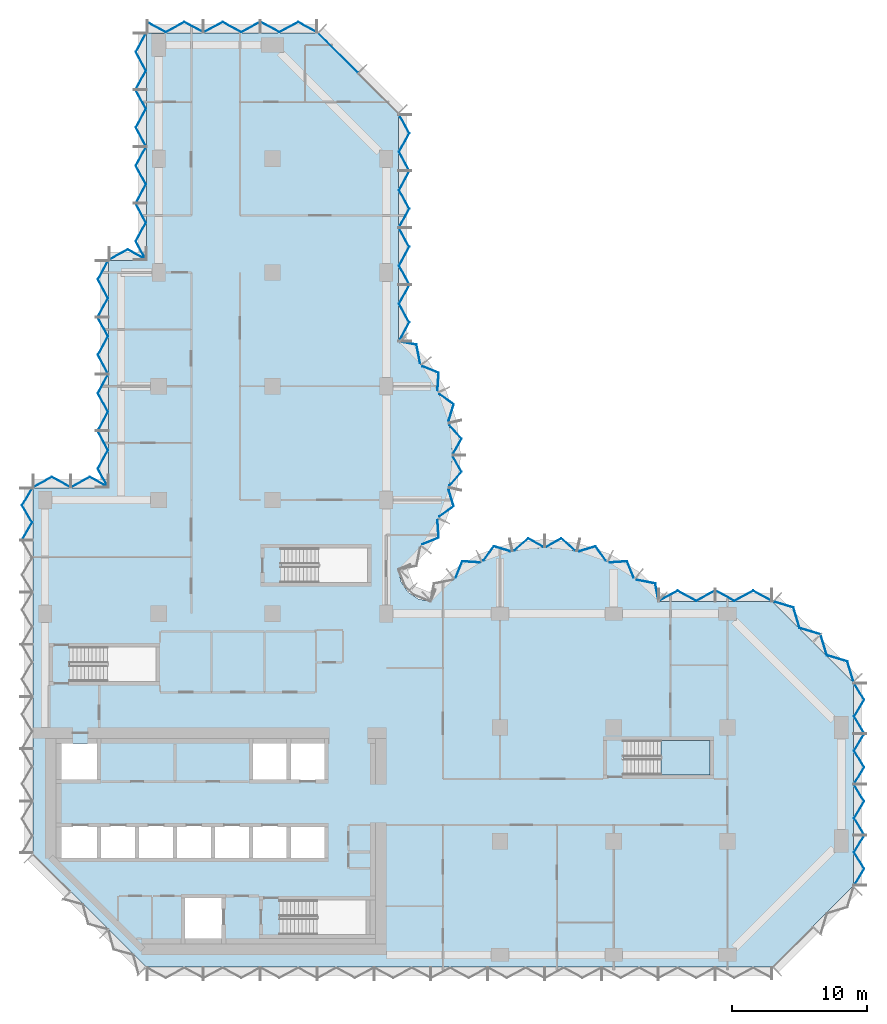
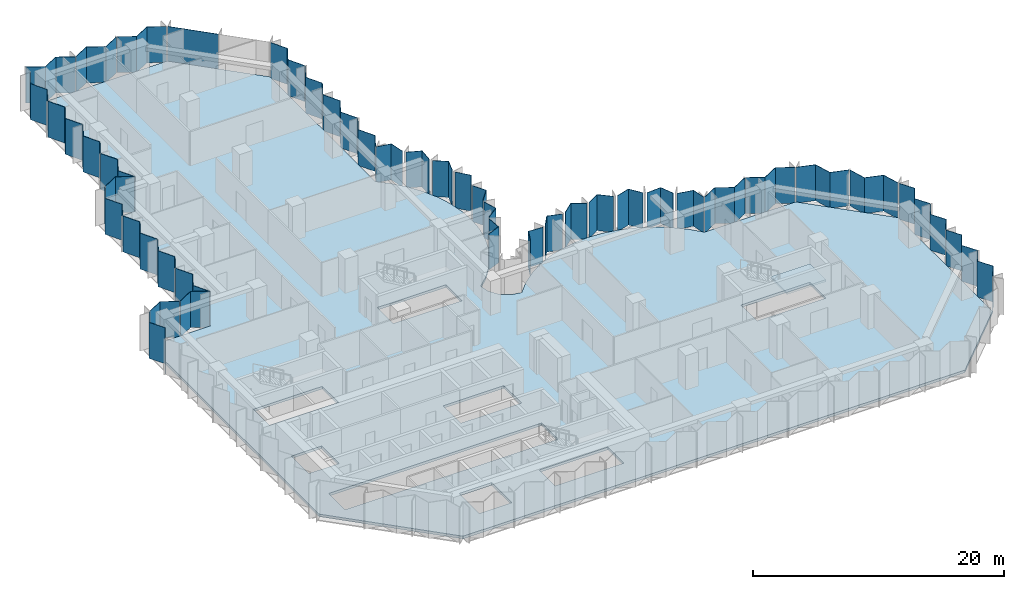
# One storey, part 4 of 11: 42 plates, 2 slabs, 14 elements without a shape of their own.
"""IFC4 building model written with IfcOpenShell, lengths in metres."""

from ifc_helpers import new_model, si_unit, direction, frame, origin, place, context, subcontext, project, spatial, polyline, outline, extrude, material, layer, layer_set, type_object, element, aggregate, save


model = new_model("IFC4")

# Units and contexts
model_context = context("Model", 3, precision=1e-05, world=origin(), true_north=direction((0.0, 1.0)))
body_context = subcontext(model_context, "Body", "Model", "MODEL_VIEW")
ifc_project = project(units=[si_unit("LENGTHUNIT", "METRE"), si_unit("AREAUNIT", "SQUARE_METRE"), si_unit("VOLUMEUNIT", "CUBIC_METRE"), si_unit("PLANEANGLEUNIT", "RADIAN"), si_unit("MASSUNIT", "GRAM", prefix="KILO")], contexts=[model_context])

# Site, building, storey
site_placement = place(None, origin())
site = spatial("IfcSite", under=ifc_project, at=site_placement, CompositionType="ELEMENT")
building_placement = place(site_placement, origin())
building = spatial("IfcBuilding", under=site, at=building_placement, Name="Brevane Broadcast Tower", CompositionType="ELEMENT")
storey_placement = place(building_placement, frame((0.0, 0.0, 142.10009765625)))
storey = spatial("IfcBuildingStorey", under=building, at=storey_placement, Name="L35", CompositionType="ELEMENT", Elevation=142.10009765625)

# Curtain wall, plates
ifc_material_1 = material(Name="Aluminium 6063-T6 bronze anodised", Category="aluminium")
curtain_wall_type = type_object("IfcCurtainWallType", Name="CW-1 curtain wall", PredefinedType="NOTDEFINED", material=ifc_material_1)
curtain_wall_1_placement = place(storey_placement, origin())
curtain_wall_1 = element("IfcCurtainWall", 1, at=curtain_wall_1_placement, inside=storey, type_object=curtain_wall_type, Name="CW-1 typical tilted unit L35 east end", PredefinedType="NOTDEFINED")
ifc_material_2 = material(Name="Laminated glass bronze-tinted", Category="glass")
ifc_layer_1 = layer(ifc_material_2, 0.0400390625)
ifc_layer_set_1 = layer_set([ifc_layer_1], Name="CW tall glass panel 40")
plate_type = type_object("IfcPlateType", Name="CW tall glass panel 40", PredefinedType="CURTAIN_PANEL", material=ifc_layer_set_1)
plate_1_placement = place(storey_placement, frame((0.0, 0.0, -0.150146484375)))
plate_1 = element("IfcPlate", 2, at=plate_1_placement, type_object=plate_type, Name="CW-1 glass panel", PredefinedType="CURTAIN_PANEL", context=body_context, shape_type="SweptSolid", body=[
    extrude(outline(polyline([(59.7265625, 5.135009765625), (59.7734375, 5.135009765625), (60.517822265625, 6.36181640625), (59.7734375, 7.58837890625), (60.517822265625, 8.81494140625), (60.470947265625, 8.81494140625), (59.7265625, 7.58837890625), (60.470947265625, 6.36181640625), (59.7265625, 5.135009765625)])), origin(), (0.0, 0.0, 1.0), 3.5),
])
plate_2_placement = place(storey_placement, frame((0.0, 0.0, -0.150146484375)))
plate_2 = element("IfcPlate", 3, at=plate_2_placement, type_object=plate_type, Name="CW-1 glass panel", PredefinedType="CURTAIN_PANEL", context=body_context, shape_type="SweptSolid", body=[
    extrude(outline(polyline([(60.470947265625, 8.885009765625), (60.517822265625, 8.885009765625), (59.7734375, 10.11181640625), (60.517822265625, 11.33837890625), (59.7734375, 12.56494140625), (59.7265625, 12.56494140625), (60.470947265625, 11.33837890625), (59.7265625, 10.11181640625), (60.470947265625, 8.885009765625)])), origin(), (0.0, 0.0, 1.0), 3.5),
])
plate_3_placement = place(storey_placement, frame((0.0, 0.0, -0.150146484375)))
plate_3 = element("IfcPlate", 4, at=plate_3_placement, type_object=plate_type, Name="CW-1 glass panel", PredefinedType="CURTAIN_PANEL", context=body_context, shape_type="SweptSolid", body=[
    extrude(outline(polyline([(59.7265625, 12.635009765625), (59.7734375, 12.635009765625), (60.517822265625, 13.86181640625), (59.7734375, 15.08837890625), (60.517822265625, 16.31494140625), (60.470947265625, 16.31494140625), (59.7265625, 15.08837890625), (60.470947265625, 13.86181640625), (59.7265625, 12.635009765625)])), origin(), (0.0, 0.0, 1.0), 3.5),
])
plate_4_placement = place(storey_placement, frame((0.0, 0.0, -0.150146484375)))
plate_4 = element("IfcPlate", 5, at=plate_4_placement, type_object=plate_type, Name="CW-1 glass panel", PredefinedType="CURTAIN_PANEL", context=body_context, shape_type="SweptSolid", body=[
    extrude(outline(polyline([(60.470947265625, 16.385009765625), (60.517822265625, 16.385009765625), (59.7734375, 17.61181640625), (60.517822265625, 18.83837890625), (59.7734375, 20.06494140625), (59.7265625, 20.06494140625), (60.470947265625, 18.83837890625), (59.7265625, 17.61181640625), (60.470947265625, 16.385009765625)])), origin(), (0.0, 0.0, 1.0), 3.5),
])
aggregate(curtain_wall_1, [plate_1, plate_2, plate_3, plate_4])

curtain_wall_2_placement = place(storey_placement, origin())
curtain_wall_2 = element("IfcCurtainWall", 6, at=curtain_wall_2_placement, inside=storey, type_object=curtain_wall_type, Name="CW-1 typical tilted unit L35 north-east chamfer", PredefinedType="NOTDEFINED")
plate_5_placement = place(storey_placement, frame((0.0, 0.0, -0.150146484375)))
plate_5 = element("IfcPlate", 7, at=plate_5_placement, type_object=plate_type, Name="CW-1 glass panel", PredefinedType="CURTAIN_PANEL", context=body_context, shape_type="SweptSolid", body=[
    extrude(outline(polyline([(59.694580078125, 20.14404296875), (59.7265625, 20.176025390625), (59.26953125, 21.68603515625), (57.759521484375, 22.14306640625), (57.302490234375, 23.653076171875), (57.2705078125, 23.620849609375), (57.7275390625, 22.111083984375), (59.2373046875, 21.65380859375), (59.694580078125, 20.14404296875)])), origin(), (0.0, 0.0, 1.0), 3.5),
])
plate_6_placement = place(storey_placement, frame((0.0, 0.0, -0.150146484375)))
plate_6 = element("IfcPlate", 8, at=plate_6_placement, type_object=plate_type, Name="CW-1 glass panel", PredefinedType="CURTAIN_PANEL", context=body_context, shape_type="SweptSolid", body=[
    extrude(outline(polyline([(57.220947265625, 23.67041015625), (57.2529296875, 23.702392578125), (55.7431640625, 24.15966796875), (55.285888671875, 25.66943359375), (53.776123046875, 26.126708984375), (53.744140625, 26.094482421875), (55.25390625, 25.637451171875), (55.711181640625, 24.127685546875), (57.220947265625, 23.67041015625)])), origin(), (0.0, 0.0, 1.0), 3.5),
])
aggregate(curtain_wall_2, [plate_5, plate_6])

curtain_wall_3_placement = place(storey_placement, origin())
curtain_wall_3 = element("IfcCurtainWall", 9, at=curtain_wall_3_placement, inside=storey, type_object=curtain_wall_type, Name="CW-1 typical tilted unit L35 east arm north face", PredefinedType="NOTDEFINED")
plate_7_placement = place(storey_placement, frame((0.0, 0.0, -0.150146484375)))
plate_7 = element("IfcPlate", 10, at=plate_7_placement, type_object=plate_type, Name="CW-1 glass panel", PredefinedType="CURTAIN_PANEL", context=body_context, shape_type="SweptSolid", body=[
    extrude(outline(polyline([(53.6650390625, 26.127197265625), (53.6650390625, 26.172607421875), (52.288330078125, 26.9169921875), (50.91162109375, 26.172607421875), (49.534912109375, 26.9169921875), (49.534912109375, 26.87158203125), (50.91162109375, 26.127197265625), (52.288330078125, 26.87158203125), (53.6650390625, 26.127197265625)])), origin(), (0.0, 0.0, 1.0), 3.5),
])
plate_8_placement = place(storey_placement, frame((0.0, 0.0, -0.150146484375)))
plate_8 = element("IfcPlate", 11, at=plate_8_placement, type_object=plate_type, Name="CW-1 glass panel", PredefinedType="CURTAIN_PANEL", context=body_context, shape_type="SweptSolid", body=[
    extrude(outline(polyline([(49.465087890625, 26.87158203125), (49.465087890625, 26.9169921875), (48.08837890625, 26.172607421875), (46.711669921875, 26.9169921875), (45.3349609375, 26.172607421875), (45.3349609375, 26.127197265625), (46.711669921875, 26.87158203125), (48.08837890625, 26.127197265625), (49.465087890625, 26.87158203125)])), origin(), (0.0, 0.0, 1.0), 3.5),
])
aggregate(curtain_wall_3, [plate_7, plate_8])

curtain_wall_4_placement = place(storey_placement, origin())
curtain_wall_4 = element("IfcCurtainWall", 12, at=curtain_wall_4_placement, inside=storey, type_object=curtain_wall_type, Name="CW-1 typical tilted unit L35 east bow", PredefinedType="NOTDEFINED")
plate_9_placement = place(storey_placement, frame((0.0, 0.0, -0.150146484375)))
plate_9 = element("IfcPlate", 13, at=plate_9_placement, type_object=plate_type, Name="CW-1 glass panel", PredefinedType="CURTAIN_PANEL", context=body_context, shape_type="SweptSolid", body=[
    extrude(outline(polyline([(45.2939453125, 26.14404296875), (45.327880859375, 26.17919921875), (45.086181640625, 27.447265625), (43.738525390625, 27.71142578125), (43.7109375, 27.67626953125), (45.052001953125, 27.4130859375), (45.2939453125, 26.14404296875)])), origin(), (0.0, 0.0, 1.0), 3.5),
])
plate_10_placement = place(storey_placement, frame((0.0, 0.0, -0.150146484375)))
plate_10 = element("IfcPlate", 14, at=plate_10_placement, type_object=plate_type, Name="CW-1 glass panel", PredefinedType="CURTAIN_PANEL", context=body_context, shape_type="SweptSolid", body=[
    extrude(outline(polyline([(43.45703125, 27.8759765625), (43.4853515625, 27.912109375), (43.00390625, 29.089111328125), (41.710693359375, 29.006591796875), (41.69091796875, 28.96533203125), (42.977783203125, 29.04736328125), (43.45703125, 27.8759765625)])), origin(), (0.0, 0.0, 1.0), 3.5),
])
plate_11_placement = place(storey_placement, frame((0.0, 0.0, -0.150146484375)))
plate_11 = element("IfcPlate", 15, at=plate_11_placement, type_object=plate_type, Name="CW-1 glass panel", PredefinedType="CURTAIN_PANEL", context=body_context, shape_type="SweptSolid", body=[
    extrude(outline(polyline([(41.3994140625, 29.104248046875), (41.4189453125, 29.1455078125), (40.667724609375, 30.20166015625), (39.45068359375, 29.83349609375), (39.440185546875, 29.78857421875), (40.65185546875, 30.155029296875), (41.3994140625, 29.104248046875)])), origin(), (0.0, 0.0, 1.0), 3.5),
])
plate_12_placement = place(storey_placement, frame((0.0, 0.0, -0.150146484375)))
plate_12 = element("IfcPlate", 16, at=plate_12_placement, type_object=plate_type, Name="CW-1 glass panel", PredefinedType="CURTAIN_PANEL", context=body_context, shape_type="SweptSolid", body=[
    extrude(outline(polyline([(39.125, 29.859619140625), (39.13525390625, 29.903564453125), (38.116943359375, 30.779296875), (37.008056640625, 30.15869140625), (37.008056640625, 30.11279296875), (38.112060546875, 30.730712890625), (39.125, 29.859619140625)])), origin(), (0.0, 0.0, 1.0), 3.5),
])
plate_13_placement = place(storey_placement, frame((0.0, 0.0, -0.150146484375)))
plate_13 = element("IfcPlate", 17, at=plate_13_placement, type_object=plate_type, Name="CW-1 glass panel", PredefinedType="CURTAIN_PANEL", context=body_context, shape_type="SweptSolid", body=[
    extrude(outline(polyline([(36.7919921875, 30.11279296875), (36.7919921875, 30.15869140625), (35.68310546875, 30.779296875), (34.664794921875, 29.903564453125), (34.6748046875, 29.859619140625), (35.68798828125, 30.730712890625), (36.7919921875, 30.11279296875)])), origin(), (0.0, 0.0, 1.0), 3.5),
])
plate_14_placement = place(storey_placement, frame((0.0, 0.0, -0.150146484375)))
plate_14 = element("IfcPlate", 18, at=plate_14_placement, type_object=plate_type, Name="CW-1 glass panel", PredefinedType="CURTAIN_PANEL", context=body_context, shape_type="SweptSolid", body=[
    extrude(outline(polyline([(34.359619140625, 29.78857421875), (34.349365234375, 29.83349609375), (33.132080078125, 30.20166015625), (32.381103515625, 29.1455078125), (32.400634765625, 29.104248046875), (33.148193359375, 30.155029296875), (34.359619140625, 29.78857421875)])), origin(), (0.0, 0.0, 1.0), 3.5),
])
plate_15_placement = place(storey_placement, frame((0.0, 0.0, -0.150146484375)))
plate_15 = element("IfcPlate", 19, at=plate_15_placement, type_object=plate_type, Name="CW-1 glass panel", PredefinedType="CURTAIN_PANEL", context=body_context, shape_type="SweptSolid", body=[
    extrude(outline(polyline([(32.10888671875, 28.96533203125), (32.08935546875, 29.006591796875), (30.7958984375, 29.089111328125), (30.314697265625, 27.912109375), (30.343017578125, 27.8759765625), (30.822265625, 29.04736328125), (32.10888671875, 28.96533203125)])), origin(), (0.0, 0.0, 1.0), 3.5),
])
aggregate(curtain_wall_4, [plate_9, plate_10, plate_11, plate_12, plate_13, plate_14, plate_15])

curtain_wall_5_placement = place(storey_placement, origin())
curtain_wall_5 = element("IfcCurtainWall", 20, at=curtain_wall_5_placement, inside=storey, type_object=curtain_wall_type, Name="CW-1 typical tilted unit L35 north bow", PredefinedType="NOTDEFINED")
plate_16_placement = place(storey_placement, frame((0.0, 0.0, -0.150146484375)))
plate_16 = element("IfcPlate", 21, at=plate_16_placement, type_object=plate_type, Name="CW-1 glass panel", PredefinedType="CURTAIN_PANEL", context=body_context, shape_type="SweptSolid", body=[
    extrude(outline(polyline([(27.8759765625, 30.343017578125), (27.912109375, 30.314697265625), (29.089111328125, 30.7958984375), (29.006591796875, 32.08935546875), (28.96533203125, 32.10888671875), (29.04736328125, 30.822265625), (27.8759765625, 30.343017578125)])), origin(), (0.0, 0.0, 1.0), 3.5),
])
plate_17_placement = place(storey_placement, frame((0.0, 0.0, -0.150146484375)))
plate_17 = element("IfcPlate", 22, at=plate_17_placement, type_object=plate_type, Name="CW-1 glass panel", PredefinedType="CURTAIN_PANEL", context=body_context, shape_type="SweptSolid", body=[
    extrude(outline(polyline([(29.104248046875, 32.400634765625), (29.1455078125, 32.381103515625), (30.20166015625, 33.132080078125), (29.83349609375, 34.349365234375), (29.78857421875, 34.359619140625), (30.155029296875, 33.148193359375), (29.104248046875, 32.400634765625)])), origin(), (0.0, 0.0, 1.0), 3.5),
])
plate_18_placement = place(storey_placement, frame((0.0, 0.0, -0.150146484375)))
plate_18 = element("IfcPlate", 23, at=plate_18_placement, type_object=plate_type, Name="CW-1 glass panel", PredefinedType="CURTAIN_PANEL", context=body_context, shape_type="SweptSolid", body=[
    extrude(outline(polyline([(29.859619140625, 34.6748046875), (29.903564453125, 34.664794921875), (30.779296875, 35.68310546875), (30.15869140625, 36.7919921875), (30.11279296875, 36.7919921875), (30.730712890625, 35.68798828125), (29.859619140625, 34.6748046875)])), origin(), (0.0, 0.0, 1.0), 3.5),
])
plate_19_placement = place(storey_placement, frame((0.0, 0.0, -0.150146484375)))
plate_19 = element("IfcPlate", 24, at=plate_19_placement, type_object=plate_type, Name="CW-1 glass panel", PredefinedType="CURTAIN_PANEL", context=body_context, shape_type="SweptSolid", body=[
    extrude(outline(polyline([(30.11279296875, 37.008056640625), (30.15869140625, 37.008056640625), (30.779296875, 38.116943359375), (29.903564453125, 39.13525390625), (29.859619140625, 39.125), (30.730712890625, 38.112060546875), (30.11279296875, 37.008056640625)])), origin(), (0.0, 0.0, 1.0), 3.5),
])
plate_20_placement = place(storey_placement, frame((0.0, 0.0, -0.150146484375)))
plate_20 = element("IfcPlate", 25, at=plate_20_placement, type_object=plate_type, Name="CW-1 glass panel", PredefinedType="CURTAIN_PANEL", context=body_context, shape_type="SweptSolid", body=[
    extrude(outline(polyline([(29.78857421875, 39.440185546875), (29.83349609375, 39.45068359375), (30.20166015625, 40.667724609375), (29.1455078125, 41.4189453125), (29.104248046875, 41.3994140625), (30.155029296875, 40.65185546875), (29.78857421875, 39.440185546875)])), origin(), (0.0, 0.0, 1.0), 3.5),
])
plate_21_placement = place(storey_placement, frame((0.0, 0.0, -0.150146484375)))
plate_21 = element("IfcPlate", 26, at=plate_21_placement, type_object=plate_type, Name="CW-1 glass panel", PredefinedType="CURTAIN_PANEL", context=body_context, shape_type="SweptSolid", body=[
    extrude(outline(polyline([(28.96533203125, 41.69091796875), (29.006591796875, 41.710693359375), (29.089111328125, 43.00390625), (27.912109375, 43.4853515625), (27.8759765625, 43.45703125), (29.04736328125, 42.977783203125), (28.96533203125, 41.69091796875)])), origin(), (0.0, 0.0, 1.0), 3.5),
])
plate_22_placement = place(storey_placement, frame((0.0, 0.0, -0.150146484375)))
plate_22 = element("IfcPlate", 27, at=plate_22_placement, type_object=plate_type, Name="CW-1 glass panel", PredefinedType="CURTAIN_PANEL", context=body_context, shape_type="SweptSolid", body=[
    extrude(outline(polyline([(27.67626953125, 43.7109375), (27.71142578125, 43.738525390625), (27.447265625, 45.086181640625), (26.17919921875, 45.327880859375), (26.14404296875, 45.2939453125), (27.4130859375, 45.052001953125), (27.67626953125, 43.7109375)])), origin(), (0.0, 0.0, 1.0), 3.5),
])
aggregate(curtain_wall_5, [plate_16, plate_17, plate_18, plate_19, plate_20, plate_21, plate_22])

curtain_wall_6_placement = place(storey_placement, origin())
curtain_wall_6 = element("IfcCurtainWall", 28, at=curtain_wall_6_placement, inside=storey, type_object=curtain_wall_type, Name="CW-1 typical tilted unit L35 north arm east face", PredefinedType="NOTDEFINED")
plate_23_placement = place(storey_placement, frame((0.0, 0.0, -0.150146484375)))
plate_23 = element("IfcPlate", 29, at=plate_23_placement, type_object=plate_type, Name="CW-1 glass panel", PredefinedType="CURTAIN_PANEL", context=body_context, shape_type="SweptSolid", body=[
    extrude(outline(polyline([(26.127197265625, 45.3349609375), (26.172607421875, 45.3349609375), (26.9169921875, 46.711669921875), (26.172607421875, 48.08837890625), (26.9169921875, 49.465087890625), (26.87158203125, 49.465087890625), (26.127197265625, 48.08837890625), (26.87158203125, 46.711669921875), (26.127197265625, 45.3349609375)])), origin(), (0.0, 0.0, 1.0), 3.5),
])
plate_24_placement = place(storey_placement, frame((0.0, 0.0, -0.150146484375)))
plate_24 = element("IfcPlate", 30, at=plate_24_placement, type_object=plate_type, Name="CW-1 glass panel", PredefinedType="CURTAIN_PANEL", context=body_context, shape_type="SweptSolid", body=[
    extrude(outline(polyline([(26.87158203125, 49.534912109375), (26.9169921875, 49.534912109375), (26.172607421875, 50.91162109375), (26.9169921875, 52.288330078125), (26.172607421875, 53.6650390625), (26.127197265625, 53.6650390625), (26.87158203125, 52.288330078125), (26.127197265625, 50.91162109375), (26.87158203125, 49.534912109375)])), origin(), (0.0, 0.0, 1.0), 3.5),
])
plate_25_placement = place(storey_placement, frame((0.0, 0.0, -0.150146484375)))
plate_25 = element("IfcPlate", 31, at=plate_25_placement, type_object=plate_type, Name="CW-1 glass panel", PredefinedType="CURTAIN_PANEL", context=body_context, shape_type="SweptSolid", body=[
    extrude(outline(polyline([(26.127197265625, 53.735107421875), (26.172607421875, 53.735107421875), (26.9169921875, 55.11181640625), (26.172607421875, 56.48828125), (26.9169921875, 57.864990234375), (26.87158203125, 57.864990234375), (26.127197265625, 56.48828125), (26.87158203125, 55.11181640625), (26.127197265625, 53.735107421875)])), origin(), (0.0, 0.0, 1.0), 3.5),
])
plate_26_placement = place(storey_placement, frame((0.0, 0.0, -0.150146484375)))
plate_26 = element("IfcPlate", 32, at=plate_26_placement, type_object=plate_type, Name="CW-1 glass panel", PredefinedType="CURTAIN_PANEL", context=body_context, shape_type="SweptSolid", body=[
    extrude(outline(polyline([(26.87158203125, 57.93505859375), (26.9169921875, 57.93505859375), (26.172607421875, 59.311767578125), (26.9169921875, 60.688232421875), (26.172607421875, 62.06494140625), (26.127197265625, 62.06494140625), (26.87158203125, 60.688232421875), (26.127197265625, 59.311767578125), (26.87158203125, 57.93505859375)])), origin(), (0.0, 0.0, 1.0), 3.5),
])
aggregate(curtain_wall_6, [plate_23, plate_24, plate_25, plate_26])

# Curtain wall, plate
curtain_wall_7_placement = place(storey_placement, origin())
curtain_wall_7 = element("IfcCurtainWall", 33, at=curtain_wall_7_placement, inside=storey, type_object=curtain_wall_type, Name="CW-1 typical tilted unit L35 north arm north-east chamfer", PredefinedType="NOTDEFINED")
plate_27_placement = place(storey_placement, frame((0.0, 0.0, -0.150146484375)))
plate_27 = element("IfcPlate", 34, at=plate_27_placement, type_object=plate_type, Name="CW-1 glass panel", PredefinedType="CURTAIN_PANEL", context=body_context, shape_type="SweptSolid", body=[
    extrude(outline(polyline([(23.096435546875, 65.14599609375), (20.14599609375, 68.096435546875), (20.17431640625, 68.124755859375), (23.124755859375, 65.17431640625), (23.096435546875, 65.14599609375)])), origin(), (0.0, 0.0, 1.0), 3.5),
])
aggregate(curtain_wall_7, [plate_27])

# Curtain wall, plates
curtain_wall_8_placement = place(storey_placement, origin())
curtain_wall_8 = element("IfcCurtainWall", 35, at=curtain_wall_8_placement, inside=storey, type_object=curtain_wall_type, Name="CW-1 typical tilted unit L35 north end", PredefinedType="NOTDEFINED")
plate_28_placement = place(storey_placement, frame((0.0, 0.0, -0.150146484375)))
plate_28 = element("IfcPlate", 36, at=plate_28_placement, type_object=plate_type, Name="CW-1 glass panel", PredefinedType="CURTAIN_PANEL", context=body_context, shape_type="SweptSolid", body=[
    extrude(outline(polyline([(20.06494140625, 68.127197265625), (20.06494140625, 68.172607421875), (18.688232421875, 68.9169921875), (17.311767578125, 68.172607421875), (15.93505859375, 68.9169921875), (15.93505859375, 68.87158203125), (17.311767578125, 68.127197265625), (18.688232421875, 68.87158203125), (20.06494140625, 68.127197265625)])), origin(), (0.0, 0.0, 1.0), 3.5),
])
plate_29_placement = place(storey_placement, frame((0.0, 0.0, -0.150146484375)))
plate_29 = element("IfcPlate", 37, at=plate_29_placement, type_object=plate_type, Name="CW-1 glass panel", PredefinedType="CURTAIN_PANEL", context=body_context, shape_type="SweptSolid", body=[
    extrude(outline(polyline([(15.864990234375, 68.87158203125), (15.864990234375, 68.9169921875), (14.48828125, 68.172607421875), (13.11181640625, 68.9169921875), (11.735107421875, 68.172607421875), (11.735107421875, 68.127197265625), (13.11181640625, 68.87158203125), (14.48828125, 68.127197265625), (15.864990234375, 68.87158203125)])), origin(), (0.0, 0.0, 1.0), 3.5),
])
plate_30_placement = place(storey_placement, frame((0.0, 0.0, -0.150146484375)))
plate_30 = element("IfcPlate", 38, at=plate_30_placement, type_object=plate_type, Name="CW-1 glass panel", PredefinedType="CURTAIN_PANEL", context=body_context, shape_type="SweptSolid", body=[
    extrude(outline(polyline([(11.6650390625, 68.127197265625), (11.6650390625, 68.172607421875), (10.288330078125, 68.9169921875), (8.91162109375, 68.172607421875), (7.534912109375, 68.9169921875), (7.534912109375, 68.87158203125), (8.91162109375, 68.127197265625), (10.288330078125, 68.87158203125), (11.6650390625, 68.127197265625)])), origin(), (0.0, 0.0, 1.0), 3.5),
])
aggregate(curtain_wall_8, [plate_28, plate_29, plate_30])

curtain_wall_9_placement = place(storey_placement, origin())
curtain_wall_9 = element("IfcCurtainWall", 39, at=curtain_wall_9_placement, inside=storey, type_object=curtain_wall_type, Name="CW-1 typical tilted unit L35 north wing west face above the set-back", PredefinedType="NOTDEFINED")
plate_31_placement = place(storey_placement, frame((0.0, 0.0, -0.150146484375)))
plate_31 = element("IfcPlate", 40, at=plate_31_placement, type_object=plate_type, Name="CW-1 glass panel", PredefinedType="CURTAIN_PANEL", context=body_context, shape_type="SweptSolid", body=[
    extrude(outline(polyline([(7.47265625, 68.06494140625), (7.42724609375, 68.06494140625), (6.682861328125, 66.688232421875), (7.42724609375, 65.311767578125), (6.682861328125, 63.93505859375), (6.728271484375, 63.93505859375), (7.47265625, 65.311767578125), (6.728271484375, 66.688232421875), (7.47265625, 68.06494140625)])), origin(), (0.0, 0.0, 1.0), 3.5),
])
plate_32_placement = place(storey_placement, frame((0.0, 0.0, -0.150146484375)))
plate_32 = element("IfcPlate", 41, at=plate_32_placement, type_object=plate_type, Name="CW-1 glass panel", PredefinedType="CURTAIN_PANEL", context=body_context, shape_type="SweptSolid", body=[
    extrude(outline(polyline([(6.728271484375, 63.864990234375), (6.682861328125, 63.864990234375), (7.42724609375, 62.48828125), (6.682861328125, 61.11181640625), (7.42724609375, 59.735107421875), (7.47265625, 59.735107421875), (6.728271484375, 61.11181640625), (7.47265625, 62.48828125), (6.728271484375, 63.864990234375)])), origin(), (0.0, 0.0, 1.0), 3.5),
])
plate_33_placement = place(storey_placement, frame((0.0, 0.0, -0.150146484375)))
plate_33 = element("IfcPlate", 42, at=plate_33_placement, type_object=plate_type, Name="CW-1 glass panel", PredefinedType="CURTAIN_PANEL", context=body_context, shape_type="SweptSolid", body=[
    extrude(outline(polyline([(7.47265625, 59.6650390625), (7.42724609375, 59.6650390625), (6.682861328125, 58.288330078125), (7.42724609375, 56.91162109375), (6.682861328125, 55.534912109375), (6.728271484375, 55.534912109375), (7.47265625, 56.91162109375), (6.728271484375, 58.288330078125), (7.47265625, 59.6650390625)])), origin(), (0.0, 0.0, 1.0), 3.5),
])
plate_34_placement = place(storey_placement, frame((0.0, 0.0, -0.150146484375)))
plate_34 = element("IfcPlate", 43, at=plate_34_placement, type_object=plate_type, Name="CW-1 glass panel", PredefinedType="CURTAIN_PANEL", context=body_context, shape_type="SweptSolid", body=[
    extrude(outline(polyline([(6.728271484375, 55.465087890625), (6.682861328125, 55.465087890625), (7.42724609375, 54.08837890625), (6.682861328125, 52.711669921875), (7.42724609375, 51.3349609375), (7.47265625, 51.3349609375), (6.728271484375, 52.711669921875), (7.47265625, 54.08837890625), (6.728271484375, 55.465087890625)])), origin(), (0.0, 0.0, 1.0), 3.5),
])
aggregate(curtain_wall_9, [plate_31, plate_32, plate_33, plate_34])

# Curtain wall, plate
curtain_wall_10_placement = place(storey_placement, origin())
curtain_wall_10 = element("IfcCurtainWall", 44, at=curtain_wall_10_placement, inside=storey, type_object=curtain_wall_type, Name="CW-1 typical tilted unit L35 north wing west return", PredefinedType="NOTDEFINED")
plate_35_placement = place(storey_placement, frame((0.0, 0.0, -0.150146484375)))
plate_35 = element("IfcPlate", 45, at=plate_35_placement, type_object=plate_type, Name="CW-1 glass panel", PredefinedType="CURTAIN_PANEL", context=body_context, shape_type="SweptSolid", body=[
    extrude(outline(polyline([(7.465087890625, 51.3271484375), (7.465087890625, 51.372802734375), (6.10009765625, 52.1171875), (4.735107421875, 51.372802734375), (4.735107421875, 51.3271484375), (6.10009765625, 52.071533203125), (7.465087890625, 51.3271484375)])), origin(), (0.0, 0.0, 1.0), 3.5),
])
aggregate(curtain_wall_10, [plate_35])

# Curtain wall, plates
curtain_wall_11_placement = place(storey_placement, origin())
curtain_wall_11 = element("IfcCurtainWall", 46, at=curtain_wall_11_placement, inside=storey, type_object=curtain_wall_type, Name="CW-1 typical tilted unit L35 north wing west face, lower block", PredefinedType="NOTDEFINED")
plate_36_placement = place(storey_placement, frame((0.0, 0.0, -0.150146484375)))
plate_36 = element("IfcPlate", 47, at=plate_36_placement, type_object=plate_type, Name="CW-1 glass panel", PredefinedType="CURTAIN_PANEL", context=body_context, shape_type="SweptSolid", body=[
    extrude(outline(polyline([(4.672607421875, 51.264892578125), (4.627197265625, 51.264892578125), (3.8828125, 49.88818359375), (4.627197265625, 48.51171875), (3.8828125, 47.135009765625), (3.92822265625, 47.135009765625), (4.672607421875, 48.51171875), (3.92822265625, 49.88818359375), (4.672607421875, 51.264892578125)])), origin(), (0.0, 0.0, 1.0), 3.5),
])
plate_37_placement = place(storey_placement, frame((0.0, 0.0, -0.150146484375)))
plate_37 = element("IfcPlate", 48, at=plate_37_placement, type_object=plate_type, Name="CW-1 glass panel", PredefinedType="CURTAIN_PANEL", context=body_context, shape_type="SweptSolid", body=[
    extrude(outline(polyline([(3.92822265625, 47.06494140625), (3.8828125, 47.06494140625), (4.627197265625, 45.688232421875), (3.8828125, 44.311767578125), (4.627197265625, 42.93505859375), (4.672607421875, 42.93505859375), (3.92822265625, 44.311767578125), (4.672607421875, 45.688232421875), (3.92822265625, 47.06494140625)])), origin(), (0.0, 0.0, 1.0), 3.5),
])
plate_38_placement = place(storey_placement, frame((0.0, 0.0, -0.150146484375)))
plate_38 = element("IfcPlate", 49, at=plate_38_placement, type_object=plate_type, Name="CW-1 glass panel", PredefinedType="CURTAIN_PANEL", context=body_context, shape_type="SweptSolid", body=[
    extrude(outline(polyline([(4.672607421875, 42.864990234375), (4.627197265625, 42.864990234375), (3.8828125, 41.48828125), (4.627197265625, 40.11181640625), (3.8828125, 38.735107421875), (3.92822265625, 38.735107421875), (4.672607421875, 40.11181640625), (3.92822265625, 41.48828125), (4.672607421875, 42.864990234375)])), origin(), (0.0, 0.0, 1.0), 3.5),
])
plate_39_placement = place(storey_placement, frame((0.0, 0.0, -0.150146484375)))
plate_39 = element("IfcPlate", 50, at=plate_39_placement, type_object=plate_type, Name="CW-1 glass panel", PredefinedType="CURTAIN_PANEL", context=body_context, shape_type="SweptSolid", body=[
    extrude(outline(polyline([(3.92822265625, 38.6650390625), (3.8828125, 38.6650390625), (4.627197265625, 37.288330078125), (3.8828125, 35.91162109375), (4.627197265625, 34.534912109375), (4.672607421875, 34.534912109375), (3.92822265625, 35.91162109375), (4.672607421875, 37.288330078125), (3.92822265625, 38.6650390625)])), origin(), (0.0, 0.0, 1.0), 3.5),
])
aggregate(curtain_wall_11, [plate_36, plate_37, plate_38, plate_39])

curtain_wall_12_placement = place(storey_placement, origin())
curtain_wall_12 = element("IfcCurtainWall", 51, at=curtain_wall_12_placement, inside=storey, type_object=curtain_wall_type, Name="CW-1 typical tilted unit L35 north wing west return, lower block", PredefinedType="NOTDEFINED")
plate_40_placement = place(storey_placement, frame((0.0, 0.0, -0.150146484375)))
plate_40 = element("IfcPlate", 52, at=plate_40_placement, type_object=plate_type, Name="CW-1 glass panel", PredefinedType="CURTAIN_PANEL", context=body_context, shape_type="SweptSolid", body=[
    extrude(outline(polyline([(4.6650390625, 34.527099609375), (4.6650390625, 34.57275390625), (3.300048828125, 35.317138671875), (1.93505859375, 34.57275390625), (1.93505859375, 34.527099609375), (3.300048828125, 35.271484375), (4.6650390625, 34.527099609375)])), origin(), (0.0, 0.0, 1.0), 3.5),
])
plate_41_placement = place(storey_placement, frame((0.0, 0.0, -0.150146484375)))
plate_41 = element("IfcPlate", 53, at=plate_41_placement, type_object=plate_type, Name="CW-1 glass panel", PredefinedType="CURTAIN_PANEL", context=body_context, shape_type="SweptSolid", body=[
    extrude(outline(polyline([(1.864990234375, 34.527099609375), (1.864990234375, 34.57275390625), (0.5, 35.317138671875), (-0.864990234375, 34.57275390625), (-0.864990234375, 34.527099609375), (0.5, 35.271484375), (1.864990234375, 34.527099609375)])), origin(), (0.0, 0.0, 1.0), 3.5),
])
aggregate(curtain_wall_12, [plate_40, plate_41])

# Curtain wall, plate
curtain_wall_13_placement = place(storey_placement, origin())
curtain_wall_13 = element("IfcCurtainWall", 54, at=curtain_wall_13_placement, inside=storey, type_object=curtain_wall_type, Name="CW-1 typical tilted unit L35 west face", PredefinedType="NOTDEFINED")
plate_42_placement = place(storey_placement, frame((0.0, 0.0, -0.150146484375)))
plate_42 = element("IfcPlate", 55, at=plate_42_placement, type_object=plate_type, Name="CW-1 glass panel", PredefinedType="CURTAIN_PANEL", context=body_context, shape_type="SweptSolid", body=[
    extrude(outline(polyline([(-0.9267578125, 34.465087890625), (-0.97314453125, 34.465087890625), (-1.717529296875, 33.20263671875), (-0.97314453125, 31.940185546875), (-1.717529296875, 30.677978515625), (-1.671142578125, 30.677978515625), (-0.9267578125, 31.940185546875), (-1.671142578125, 33.20263671875), (-0.9267578125, 34.465087890625)])), origin(), (0.0, 0.0, 1.0), 3.5),
])
aggregate(curtain_wall_13, [plate_42])

# Stair, slab
ifc_material_3 = material(Name="Concrete C50/60", Category="concrete")
stair_type = type_object("IfcStairType", Name="Exit stair 22 risers", PredefinedType="HALF_TURN_STAIR", material=ifc_material_3)
stair_placement = place(storey_placement, origin())
stair = element("IfcStair", 56, at=stair_placement, inside=storey, type_object=stair_type, Name="L35 Exit stair ST-4", PredefinedType="HALF_TURN_STAIR")
ifc_layer_2 = layer(ifc_material_3, 0.199951171875)
ifc_layer_set_2 = layer_set([ifc_layer_2], Name="Exit stair landing")
slab_type_1 = type_object("IfcSlabType", Name="Exit stair landing", PredefinedType="LANDING", material=ifc_layer_set_2)
slab_1_placement = place(storey_placement, frame((0.0, 0.0, 1.599853515625)))
slab_1 = element("IfcSlab", 57, at=slab_1_placement, type_object=slab_type_1, Name="ST-4 landing 1", PredefinedType="LANDING", context=body_context, shape_type="SweptSolid", body=[
    extrude(outline(polyline([(45.5, 13.300048828125), (49.10009765625, 13.300048828125), (49.10009765625, 15.85009765625), (45.5, 15.85009765625), (45.5, 13.300048828125)])), origin(), (0.0, 0.0, 1.0), 0.199951171875),
])
aggregate(stair, [slab_1])

# Slab
ifc_material_4 = material(Name="Concrete C40/50", Category="concrete")
ifc_layer_3 = layer(ifc_material_4, 0.25)
ifc_layer_set_3 = layer_set([ifc_layer_3], Name="RC FLOOR SLAB 250 C40/50")
slab_type_2 = type_object("IfcSlabType", Name="RC FLOOR SLAB 250 C40/50", PredefinedType="FLOOR", material=ifc_layer_set_3)
slab_2_placement = place(storey_placement, frame((0.0, 0.0, -0.25)))
element("IfcSlab", 58, at=slab_2_placement, inside=storey, type_object=slab_type_2, Name="SL250 L35", PredefinedType="FLOOR", context=body_context, shape_type="SweptSolid", body=[
    extrude(outline(polyline([(-0.89990234375, 7.5), (-0.89990234375, 34.5), (4.699951171875, 34.5), (4.699951171875, 51.300048828125), (7.5, 51.300048828125), (7.5, 68.10009765625), (20.10009765625, 68.10009765625), (26.10009765625, 62.10009765625), (26.10009765625, 45.300048828125), (27.10888671875, 44.36865234375), (27.99169921875, 43.317138671875), (28.734130859375, 42.162353515625), (29.324462890625, 40.922607421875), (29.7529296875, 39.618408203125), (30.012939453125, 38.270263671875), (30.10009765625, 36.89990234375), (30.012939453125, 35.52978515625), (29.7529296875, 34.181640625), (29.324462890625, 32.877197265625), (28.734130859375, 31.6376953125), (27.99169921875, 30.48291015625), (27.10888671875, 29.431396484375), (26.10009765625, 28.5), (26.28271484375, 27.58154296875), (26.802978515625, 26.802978515625), (27.58154296875, 26.28271484375), (28.5, 26.10009765625), (29.431396484375, 27.10888671875), (30.48291015625, 27.99169921875), (31.6376953125, 28.734130859375), (32.877197265625, 29.324462890625), (34.181640625, 29.7529296875), (35.52978515625, 30.012939453125), (36.89990234375, 30.10009765625), (38.270263671875, 30.012939453125), (39.618408203125, 29.7529296875), (40.922607421875, 29.324462890625), (42.162353515625, 28.734130859375), (43.317138671875, 27.99169921875), (44.36865234375, 27.10888671875), (45.300048828125, 26.10009765625), (53.699951171875, 26.10009765625), (59.699951171875, 20.10009765625), (59.699951171875, 5.10009765625), (53.699951171875, -0.89990234375), (7.5, -0.89990234375), (-0.89990234375, 7.5)]), holes=[polyline([(13.199951171875, 4.39990234375), (10.199951171875, 4.39990234375), (10.199951171875, 1.199951171875), (13.199951171875, 1.199951171875), (13.199951171875, 4.39990234375)]), polyline([(4.0, 9.60009765625), (1.199951171875, 9.60009765625), (1.199951171875, 7.0), (4.0, 7.0), (6.800048828125, 7.0), (9.60009765625, 7.0), (12.39990234375, 7.0), (15.199951171875, 7.0), (18.0, 7.0), (20.800048828125, 7.0), (20.800048828125, 9.60009765625), (18.0, 9.60009765625), (15.199951171875, 9.60009765625), (12.39990234375, 9.60009765625), (9.60009765625, 9.60009765625), (6.800048828125, 9.60009765625), (4.0, 9.60009765625)]), polyline([(4.0, 12.800048828125), (4.0, 15.60009765625), (1.199951171875, 15.60009765625), (1.199951171875, 12.800048828125), (4.0, 12.800048828125)]), polyline([(8.199951171875, 22.75), (1.860107421875, 22.75), (1.860107421875, 20.199951171875), (8.199951171875, 20.199951171875), (8.199951171875, 22.75)]), polyline([(23.699951171875, 4.050048828125), (17.360107421875, 4.050048828125), (17.360107421875, 1.5), (23.699951171875, 1.5), (23.699951171875, 4.050048828125)]), polyline([(18.0, 15.60009765625), (15.199951171875, 15.60009765625), (15.199951171875, 12.800048828125), (18.0, 12.800048828125), (20.800048828125, 12.800048828125), (20.800048828125, 15.60009765625), (18.0, 15.60009765625)]), polyline([(49.10009765625, 15.85009765625), (42.760009765625, 15.85009765625), (42.760009765625, 13.300048828125), (49.10009765625, 13.300048828125), (49.10009765625, 15.85009765625)]), polyline([(23.800048828125, 30.050048828125), (17.4599609375, 30.050048828125), (17.4599609375, 27.5), (23.800048828125, 27.5), (23.800048828125, 30.050048828125)])]), origin(), (0.0, 0.0, 1.0), 0.25),
])

save(model, "model.ifc")
